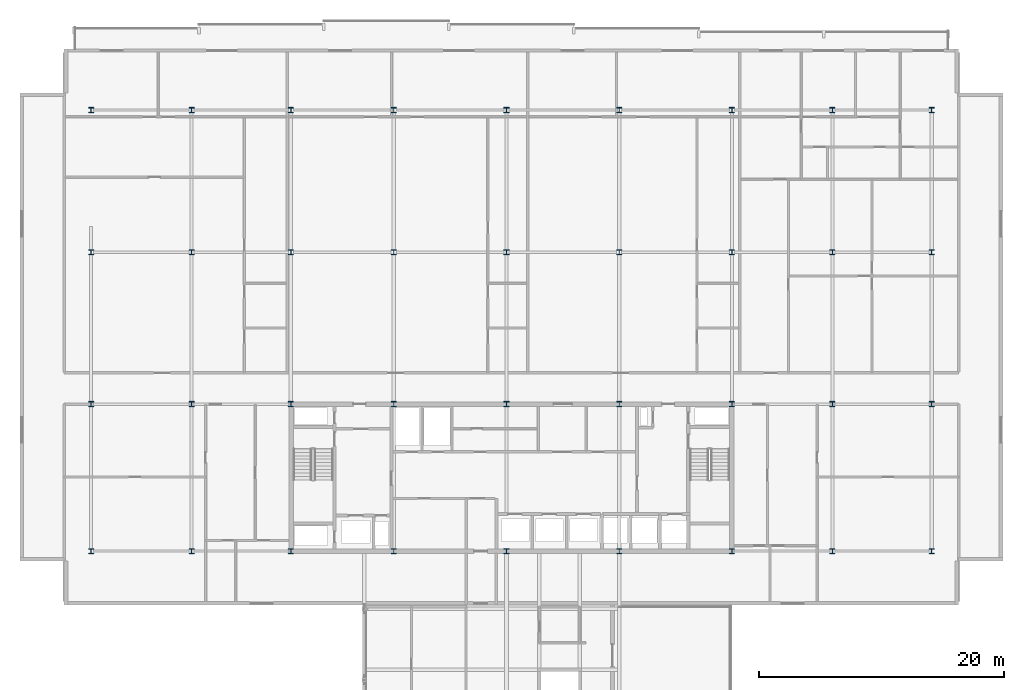
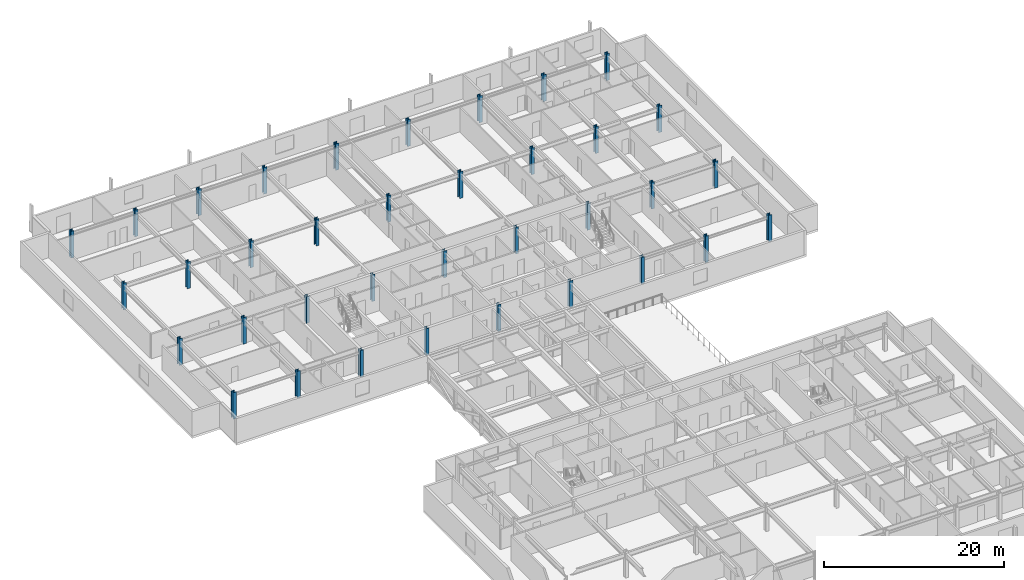
# One storey, part 2 of 28: 36 columns.
"""IFC4 building model written with IfcOpenShell, lengths in metres."""

from ifc_helpers import new_model, si_unit, direction, frame, origin, origin_2d, place, context, subcontext, project, spatial, i_section, extrude, material, material_profile, profile_set, type_object, element, save


model = new_model("IFC4")

# Units and contexts
model_context = context("Model", 3, precision=1e-05, world=origin(), true_north=direction((0.0, 1.0)))
body_context = subcontext(model_context, "Body", "Model", "MODEL_VIEW")
ifc_project = project(units=[si_unit("LENGTHUNIT", "METRE"), si_unit("AREAUNIT", "SQUARE_METRE"), si_unit("VOLUMEUNIT", "CUBIC_METRE"), si_unit("PLANEANGLEUNIT", "RADIAN"), si_unit("MASSUNIT", "GRAM", prefix="KILO")], contexts=[model_context])

# Site, building, storey
site_placement = place(None, origin())
site = spatial("IfcSite", under=ifc_project, at=site_placement, CompositionType="ELEMENT")
building_placement = place(site_placement, origin())
building = spatial("IfcBuilding", under=site, at=building_placement, Name="Korimba Cascade Residences", CompositionType="ELEMENT")
storey_placement = place(building_placement, frame((0.0, 0.0, 153.699951171875)))
storey = spatial("IfcBuildingStorey", under=building, at=storey_placement, Name="L44", CompositionType="ELEMENT", Elevation=153.699951171875)

# Columns
ifc_material = material(Name="Steel S460", Category="steel")
ifc_material_profile = material_profile(ifc_material, i_section(OverallWidth=0.412109375, OverallDepth=0.4365234375, WebThickness=0.035888671875, FlangeThickness=0.052001953125, FilletRadius=0.01513671875, at=origin_2d()), Name="Steel S460")
ifc_profile_set = profile_set([ifc_material_profile], Name="Steel S460")
column_type = type_object("IfcColumnType", Name="COL-STL-UC467", PredefinedType="COLUMN", material=ifc_profile_set)
for number, where, z_axis, x_axis, name in (
    (1, (59.800048828125, 55.199951171875, 0.0), (0.0, 0.0, 1.0), (1.0, 0.0, 0.0), "L44 Tower 1 Column 1.1"),
    (2, (59.800048828125, 67.199951171875, 0.0), (0.0, 0.0, 1.0), (1.0, 0.0, 0.0), "L44 Tower 1 Column 1.2"),
    (3, (59.800048828125, 79.60009765625, 0.0), (0.0, 0.0, 1.0), (1.0, 0.0, 0.0), "L44 Tower 1 Column 1.3"),
    (4, (59.800048828125, 91.199951171875, 0.0), (0.0, 0.0, 1.0), (1.0, 0.0, 0.0), "L44 Tower 1 Column 1.4"),
    (5, (68.0, 55.199951171875, 0.0), (0.0, 0.0, 1.0), (1.0, 0.0, 0.0), "L44 Tower 1 Column 2.1"),
    (6, (68.0, 67.199951171875, 0.0), (0.0, 0.0, 1.0), (1.0, 0.0, 0.0), "L44 Tower 1 Column 2.2"),
    (7, (68.0, 79.60009765625, 0.0), (0.0, 0.0, 1.0), (1.0, 0.0, 0.0), "L44 Tower 1 Column 2.3"),
    (8, (68.0, 91.199951171875, 0.0), (0.0, 0.0, 1.0), (1.0, 0.0, 0.0), "L44 Tower 1 Column 2.4"),
    (9, (76.10009765625, 55.199951171875, 0.0), (0.0, 0.0, 1.0), (1.0, 0.0, 0.0), "L44 Tower 1 Column 3.1"),
    (10, (76.10009765625, 67.199951171875, 0.0), (0.0, 0.0, 1.0), (1.0, 0.0, 0.0), "L44 Tower 1 Column 3.2"),
    (11, (76.10009765625, 79.60009765625, 0.0), (0.0, 0.0, 1.0), (1.0, 0.0, 0.0), "L44 Tower 1 Column 3.3"),
    (12, (76.10009765625, 91.199951171875, 0.0), (0.0, 0.0, 1.0), (1.0, 0.0, 0.0), "L44 Tower 1 Column 3.4"),
    (13, (84.5, 55.199951171875, 0.0), (0.0, 0.0, 1.0), (1.0, 0.0, 0.0), "L44 Tower 1 Column 4.1"),
    (14, (84.5, 67.199951171875, 0.0), (0.0, 0.0, 1.0), (1.0, 0.0, 0.0), "L44 Tower 1 Column 4.2"),
    (15, (84.5, 79.60009765625, 0.0), (0.0, 0.0, 1.0), (1.0, 0.0, 0.0), "L44 Tower 1 Column 4.3"),
    (16, (84.5, 91.199951171875, 0.0), (0.0, 0.0, 1.0), (1.0, 0.0, 0.0), "L44 Tower 1 Column 4.4"),
    (17, (93.699951171875, 55.199951171875, 0.0), (0.0, 0.0, 1.0), (1.0, 0.0, 0.0), "L44 Tower 1 Column 5.1"),
    (18, (93.699951171875, 67.199951171875, 0.0), (0.0, 0.0, 1.0), (1.0, 0.0, 0.0), "L44 Tower 1 Column 5.2"),
    (19, (93.699951171875, 79.60009765625, 0.0), (0.0, 0.0, 1.0), (1.0, 0.0, 0.0), "L44 Tower 1 Column 5.3"),
    (20, (93.699951171875, 91.199951171875, 0.0), (0.0, 0.0, 1.0), (1.0, 0.0, 0.0), "L44 Tower 1 Column 5.4"),
    (21, (102.89990234375, 55.199951171875, 0.0), (0.0, 0.0, 1.0), (1.0, 0.0, 0.0), "L44 Tower 1 Column 6.1"),
    (22, (102.89990234375, 67.199951171875, 0.0), (0.0, 0.0, 1.0), (1.0, 0.0, 0.0), "L44 Tower 1 Column 6.2"),
    (23, (102.89990234375, 79.60009765625, 0.0), (0.0, 0.0, 1.0), (1.0, 0.0, 0.0), "L44 Tower 1 Column 6.3"),
    (24, (102.89990234375, 91.199951171875, 0.0), (0.0, 0.0, 1.0), (1.0, 0.0, 0.0), "L44 Tower 1 Column 6.4"),
    (25, (112.10009765625, 55.199951171875, 0.0), (0.0, 0.0, 1.0), (1.0, 0.0, 0.0), "L44 Tower 1 Column 7.1"),
    (26, (112.10009765625, 67.199951171875, 0.0), (0.0, 0.0, 1.0), (1.0, 0.0, 0.0), "L44 Tower 1 Column 7.2"),
    (27, (112.10009765625, 79.60009765625, 0.0), (0.0, 0.0, 1.0), (1.0, 0.0, 0.0), "L44 Tower 1 Column 7.3"),
    (28, (112.10009765625, 91.199951171875, 0.0), (0.0, 0.0, 1.0), (1.0, 0.0, 0.0), "L44 Tower 1 Column 7.4"),
    (29, (120.300048828125, 55.199951171875, 0.0), (0.0, 0.0, 1.0), (1.0, 0.0, 0.0), "L44 Tower 1 Column 8.1"),
    (30, (120.300048828125, 67.199951171875, 0.0), (0.0, 0.0, 1.0), (1.0, 0.0, 0.0), "L44 Tower 1 Column 8.2"),
    (31, (120.300048828125, 79.60009765625, 0.0), (0.0, 0.0, 1.0), (1.0, 0.0, 0.0), "L44 Tower 1 Column 8.3"),
    (32, (120.300048828125, 91.199951171875, 0.0), (0.0, 0.0, 1.0), (1.0, 0.0, 0.0), "L44 Tower 1 Column 8.4"),
    (33, (128.39990234375, 55.199951171875, 0.0), (0.0, 0.0, 1.0), (1.0, 0.0, 0.0), "L44 Tower 1 Column 9.1"),
    (34, (128.39990234375, 67.199951171875, 0.0), (0.0, 0.0, 1.0), (1.0, 0.0, 0.0), "L44 Tower 1 Column 9.2"),
    (35, (128.39990234375, 79.60009765625, 0.0), (0.0, 0.0, 1.0), (1.0, 0.0, 0.0), "L44 Tower 1 Column 9.3"),
    (36, (128.39990234375, 91.199951171875, 0.0), (0.0, 0.0, 1.0), (1.0, 0.0, 0.0), "L44 Tower 1 Column 9.4"),
):
    element("IfcColumn", number, at=place(storey_placement, frame(where, z_axis=z_axis, x_axis=x_axis)), inside=storey, type_object=column_type, Name=name, PredefinedType="COLUMN", context=body_context, shape_type="SweptSolid", body=[
        extrude(i_section(OverallWidth=0.412109375, OverallDepth=0.4365234375, WebThickness=0.035888671875, FlangeThickness=0.052001953125, FilletRadius=0.01513671875, at=origin_2d()), origin(), (0.0, 0.0, 1.0), 3.60009765625),
    ])

save(model, "model.ifc")
